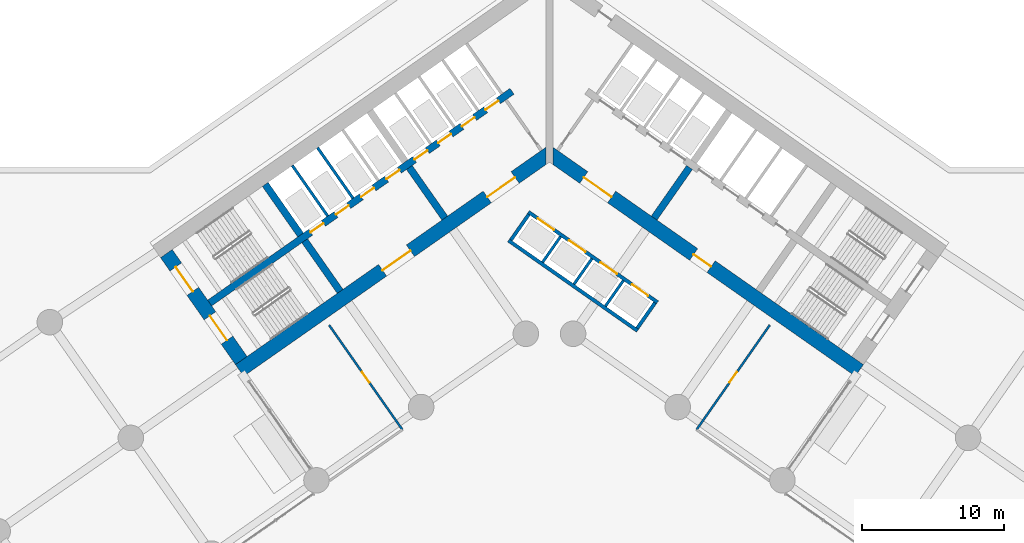
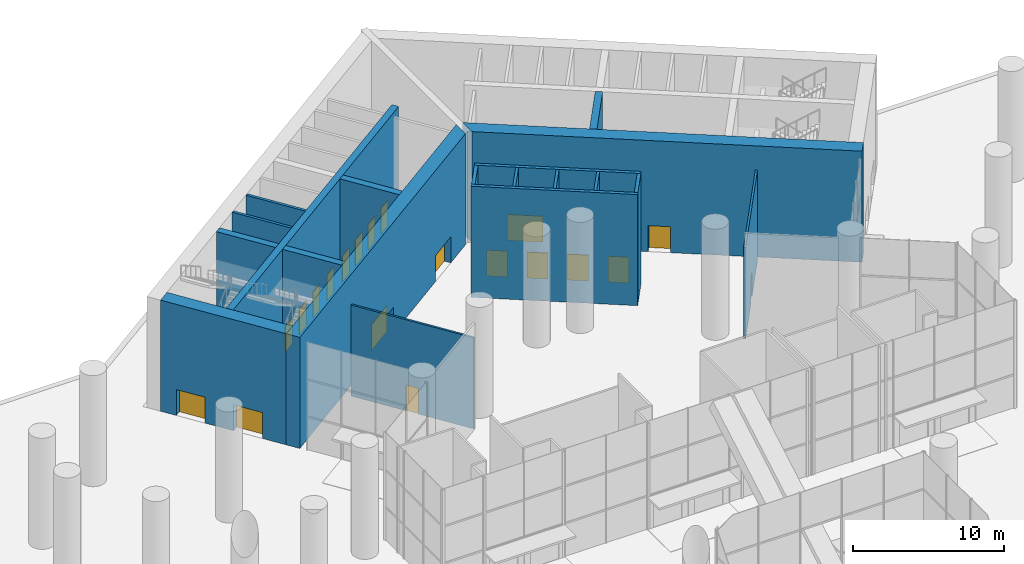
# One storey, part 19 of 37: 20 doors, 19 walls, 20 openings.
"""IFC4 building model written with IfcOpenShell, lengths in metres."""

from ifc_helpers import new_model, si_unit, direction, frame, frame_2d, origin, place, context, subcontext, project, spatial, polyline, rectangle, outline, extrude, material, layer, layer_set, type_object, element, fill, save


model = new_model("IFC4")

# Units and contexts
model_context = context("Model", 3, precision=1e-05, world=origin(), true_north=direction((0.0, 1.0)))
body_context = subcontext(model_context, "Body", "Model", "MODEL_VIEW")
ifc_project = project(units=[si_unit("LENGTHUNIT", "METRE"), si_unit("AREAUNIT", "SQUARE_METRE"), si_unit("VOLUMEUNIT", "CUBIC_METRE"), si_unit("PLANEANGLEUNIT", "RADIAN"), si_unit("MASSUNIT", "GRAM", prefix="KILO")], contexts=[model_context])

# Site, building, storey
site_placement = place(None, origin())
site = spatial("IfcSite", under=ifc_project, at=site_placement, CompositionType="ELEMENT")
building_placement = place(site_placement, origin())
building = spatial("IfcBuilding", under=site, at=building_placement, Name="Tel Ilan Convention Tower", CompositionType="ELEMENT")
storey_placement = place(building_placement, origin())
storey = spatial("IfcBuildingStorey", under=building, at=storey_placement, Name="L00", CompositionType="ELEMENT", Elevation=0.0)

# Wall, openings, doors
ifc_material_1 = material(Name="Concrete C60/75", Category="concrete")
ifc_layer_1 = layer(ifc_material_1, 1.0)
ifc_layer_set_1 = layer_set([ifc_layer_1], Name="Core Shear Wall 1000 mm C60/75")
wall_type_1 = type_object("IfcWallType", Name="Core Shear Wall 1000 mm C60/75", PredefinedType="SHEAR", material=ifc_layer_set_1)
wall_1_placement = place(storey_placement, frame((0.036865234375, -0.584716796875, 0.0), z_axis=(0.0, 0.0, 1.0), x_axis=(-0.819157152511, -0.573569140985, 0.0)))
wall_1 = element("IfcWall", 1, at=wall_1_placement, inside=storey, type_object=wall_type_1, Name="L00 core wall W-front", PredefinedType="SHEAR", context=body_context, shape_type="SweptSolid", body=[
    extrude(outline(polyline([(26.69482421875, 0.500244140625), (0.7001953125, 0.499755859375), (0.0, -0.5), (26.69482421875, -0.499755859375), (26.69482421875, 0.500244140625)])), origin(), (0.0, 0.0, 1.0), 9.0),
])
opening_1_placement = place(wall_1_placement, frame((2.994873046875, 0.0, 0.0)))
opening_1 = element("IfcOpeningElement", 2, at=opening_1_placement, cuts=wall_1, Name="Opening CD0305", PredefinedType="OPENING", context=body_context, shape_type="SweptSolid", body=[
    extrude(rectangle(XDim=2.39990234375, YDim=2.10009765625, at=frame_2d((1.199951171875, 1.050048828125))), frame((0.0, 0.510009765625, 0.0), z_axis=(0.0, -1.0, 0.0), x_axis=(1.0, 0.0, 0.0)), (0.0, 0.0, 1.0), 1.02001953125),
])
opening_2_placement = place(wall_1_placement, frame((11.994873046875, 0.0, 0.0)))
opening_2 = element("IfcOpeningElement", 3, at=opening_2_placement, cuts=wall_1, Name="Opening CD0306", PredefinedType="OPENING", context=body_context, shape_type="SweptSolid", body=[
    extrude(rectangle(XDim=2.39990234375, YDim=2.10009765625, at=frame_2d((1.199951171875, 1.050048828125))), frame((0.0, 0.510009765625, 0.0), z_axis=(0.0, -1.0, 0.0), x_axis=(1.0, 0.0, 0.0)), (0.0, 0.0, 1.0), 1.02001953125),
])
ifc_material_2 = material(Name="Glazed Aluminium Door Leaf", Category="aluminium")
door_type_1 = type_object("IfcDoorType", Name="Lobby Opening Door 2400 x 2100 FD60S", OperationType="NOTDEFINED", PredefinedType="DOOR", material=ifc_material_2)
door_1_placement = place(opening_1_placement, origin())
door_1 = element("IfcDoor", 4, at=door_1_placement, inside=storey, type_object=door_type_1, Name="Lift Lobby LR1-LR4 opening", OperationType="DOUBLE_DOOR_SINGLE_SWING", OverallHeight=2.10009765625, OverallWidth=2.39990234375, PredefinedType="DOOR", context=body_context, shape_type="SweptSolid", body=[
    extrude(rectangle(XDim=2.39990234375, YDim=2.10009765625, at=frame_2d((1.199951171875, 1.050048828125))), frame((0.0, 0.02490234375, 0.0), z_axis=(0.0, -1.0, 0.0), x_axis=(1.0, 0.0, 0.0)), (0.0, 0.0, 1.0), 0.050048828125),
])
fill(opening_1, door_1)
door_2_placement = place(opening_2_placement, origin())
door_2 = element("IfcDoor", 5, at=door_2_placement, inside=storey, type_object=door_type_1, Name="Lift Lobby LR5-LR8 opening", OperationType="DOUBLE_DOOR_SINGLE_SWING", OverallHeight=2.10009765625, OverallWidth=2.39990234375, PredefinedType="DOOR", context=body_context, shape_type="SweptSolid", body=[
    extrude(rectangle(XDim=2.39990234375, YDim=2.10009765625, at=frame_2d((1.199951171875, 1.050048828125))), frame((0.0, 0.02490234375, 0.0), z_axis=(0.0, -1.0, 0.0), x_axis=(1.0, 0.0, 0.0)), (0.0, 0.0, 1.0), 0.050048828125),
])
fill(opening_2, door_2)

wall_2_placement = place(storey_placement, frame((-21.70751953125, -15.19970703125, 0.0), z_axis=(0.0, 0.0, 1.0), x_axis=(-0.573576324356, 0.819152122709, 0.0)))
wall_2 = element("IfcWall", 6, at=wall_2_placement, inside=storey, type_object=wall_type_1, Name="L00 core wall W-end", PredefinedType="SHEAR", context=body_context, shape_type="SweptSolid", body=[
    extrude(outline(polyline([(0.0, 0.5), (0.0, -0.5), (9.199951171875, -0.5), (9.199951171875, 0.5), (0.0, 0.5)])), origin(), (0.0, 0.0, 1.0), 9.0),
])
opening_3_placement = place(wall_2_placement, frame((5.949951171875, 0.0, 0.0)))
opening_3 = element("IfcOpeningElement", 7, at=opening_3_placement, cuts=wall_2, Name="Opening E1", PredefinedType="OPENING", context=body_context, shape_type="SweptSolid", body=[
    extrude(rectangle(XDim=2.10009765625, YDim=2.10009765625, at=frame_2d((1.050048828125, 1.050048828125))), frame((0.0, 0.510009765625, 0.0), z_axis=(0.0, -1.0, 0.0), x_axis=(1.0, 0.0, 0.0)), (0.0, 0.0, 1.0), 1.02001953125),
])
opening_4_placement = place(wall_2_placement, frame((1.75, 0.0, 0.0)))
opening_4 = element("IfcOpeningElement", 8, at=opening_4_placement, cuts=wall_2, Name="Opening E2", PredefinedType="OPENING", context=body_context, shape_type="SweptSolid", body=[
    extrude(rectangle(XDim=2.10009765625, YDim=2.10009765625, at=frame_2d((1.050048828125, 1.050048828125))), frame((0.0, 0.510009765625, 0.0), z_axis=(0.0, -1.0, 0.0), x_axis=(1.0, 0.0, 0.0)), (0.0, 0.0, 1.0), 1.02001953125),
])
ifc_material_3 = material(Name="Galvanised Steel Door Leaf", Category="steel")
door_type_2 = type_object("IfcDoorType", Name="Stair Fire Door 2100 x 2100 FD60S", OperationType="NOTDEFINED", PredefinedType="DOOR", material=ifc_material_3)
door_3_placement = place(opening_3_placement, origin())
door_3 = element("IfcDoor", 9, at=door_3_placement, inside=storey, type_object=door_type_2, Name="Stair S1 door", OperationType="DOUBLE_DOOR_SINGLE_SWING", OverallHeight=2.10009765625, OverallWidth=2.10009765625, PredefinedType="DOOR", context=body_context, shape_type="SweptSolid", body=[
    extrude(rectangle(XDim=2.10009765625, YDim=2.10009765625, at=frame_2d((1.050048828125, 1.050048828125))), frame((0.0, 0.02490234375, 0.0), z_axis=(0.0, -1.0, 0.0), x_axis=(1.0, 0.0, 0.0)), (0.0, 0.0, 1.0), 0.050048828125),
])
fill(opening_3, door_3)
door_4_placement = place(opening_4_placement, origin())
door_4 = element("IfcDoor", 10, at=door_4_placement, inside=storey, type_object=door_type_2, Name="Stair S2 door", OperationType="DOUBLE_DOOR_SINGLE_SWING", OverallHeight=2.10009765625, OverallWidth=2.10009765625, PredefinedType="DOOR", context=body_context, shape_type="SweptSolid", body=[
    extrude(rectangle(XDim=2.10009765625, YDim=2.10009765625, at=frame_2d((1.050048828125, 1.050048828125))), frame((0.0, 0.02490234375, 0.0), z_axis=(0.0, -1.0, 0.0), x_axis=(1.0, 0.0, 0.0)), (0.0, 0.0, 1.0), 0.050048828125),
])
fill(opening_4, door_4)

wall_3_placement = place(storey_placement, frame((-0.036865234375, -0.584716796875, 0.0), z_axis=(0.0, 0.0, 1.0), x_axis=(0.819157152511, -0.573569140985, 0.0)))
wall_3 = element("IfcWall", 11, at=wall_3_placement, inside=storey, type_object=wall_type_1, Name="L00 core wall E-front", PredefinedType="SHEAR", context=body_context, shape_type="SweptSolid", body=[
    extrude(outline(polyline([(26.69482421875, 0.499755859375), (0.0, 0.5), (0.7001953125, -0.499755859375), (26.69482421875, -0.500244140625), (26.69482421875, 0.499755859375)])), origin(), (0.0, 0.0, 1.0), 9.0),
])
opening_5_placement = place(wall_3_placement, frame((2.994873046875, 0.0, 0.0)))
opening_5 = element("IfcOpeningElement", 12, at=opening_5_placement, cuts=wall_3, Name="Opening CD0303", PredefinedType="OPENING", context=body_context, shape_type="SweptSolid", body=[
    extrude(rectangle(XDim=2.39990234375, YDim=2.10009765625, at=frame_2d((1.199951171875, 1.050048828125))), frame((0.0, 0.510009765625, 0.0), z_axis=(0.0, -1.0, 0.0), x_axis=(1.0, 0.0, 0.0)), (0.0, 0.0, 1.0), 1.02001953125),
])
opening_6_placement = place(wall_3_placement, frame((12.44482421875, 0.0, 0.0)))
opening_6 = element("IfcOpeningElement", 13, at=opening_6_placement, cuts=wall_3, Name="Opening CD0304", PredefinedType="OPENING", context=body_context, shape_type="SweptSolid", body=[
    extrude(rectangle(XDim=1.5, YDim=2.10009765625, at=frame_2d((0.75, 1.050048828125))), frame((0.0, 0.510009765625, 0.0), z_axis=(0.0, -1.0, 0.0), x_axis=(1.0, 0.0, 0.0)), (0.0, 0.0, 1.0), 1.02001953125),
])
ifc_material_4 = material(Name="Glazed Aluminium Door Leaf", Category="aluminium")
door_type_3 = type_object("IfcDoorType", Name="Lobby Opening Door 1500 x 2100 FD60S", OperationType="NOTDEFINED", PredefinedType="DOOR", material=ifc_material_4)
door_5_placement = place(opening_6_placement, origin())
door_5 = element("IfcDoor", 14, at=door_5_placement, inside=storey, type_object=door_type_3, Name="Firefighting Lobby door", OperationType="DOUBLE_DOOR_SINGLE_SWING", OverallHeight=2.10009765625, OverallWidth=1.5, PredefinedType="DOOR", context=body_context, shape_type="SweptSolid", body=[
    extrude(rectangle(XDim=1.5, YDim=2.10009765625, at=frame_2d((0.75, 1.050048828125))), frame((0.0, 0.02490234375, 0.0), z_axis=(0.0, -1.0, 0.0), x_axis=(1.0, 0.0, 0.0)), (0.0, 0.0, 1.0), 0.050048828125),
])
fill(opening_6, door_5)
door_6_placement = place(opening_5_placement, origin())
door_6 = element("IfcDoor", 15, at=door_6_placement, inside=storey, type_object=door_type_1, Name="Shuttle Lobby opening", OperationType="DOUBLE_DOOR_SINGLE_SWING", OverallHeight=2.10009765625, OverallWidth=2.39990234375, PredefinedType="DOOR", context=body_context, shape_type="SweptSolid", body=[
    extrude(rectangle(XDim=2.39990234375, YDim=2.10009765625, at=frame_2d((1.199951171875, 1.050048828125))), frame((0.0, 0.02490234375, 0.0), z_axis=(0.0, -1.0, 0.0), x_axis=(1.0, 0.0, 0.0)), (0.0, 0.0, 1.0), 0.050048828125),
])
fill(opening_5, door_6)

# Walls
ifc_material_5 = material(Name="Concrete C60/75", Category="concrete")
ifc_layer_2 = layer(ifc_material_5, 0.5)
ifc_layer_set_2 = layer_set([ifc_layer_2], Name="Core Shear Wall 500 mm C60/75")
wall_type_2 = type_object("IfcWallType", Name="Core Shear Wall 500 mm C60/75", PredefinedType="SHEAR", material=ifc_layer_set_2)
wall_4_placement = place(storey_placement, frame((-7.372314453125, -5.162109375, 0.0), z_axis=(0.0, 0.0, 1.0), x_axis=(-0.573594173421, 0.819139624372, 0.0)))
element("IfcWall", 16, at=wall_4_placement, inside=storey, type_object=wall_type_2, Name="L00 core wall W-cross1-1", PredefinedType="SHEAR", context=body_context, shape_type="SweptSolid", body=[
    extrude(outline(polyline([(4.349853515625, 0.25), (0.0, 0.250244140625), (0.0, -0.25), (4.349853515625, -0.25), (4.349853515625, 0.25)])), origin(), (0.0, 0.0, 1.0), 9.0),
])
wall_5_placement = place(storey_placement, frame((-14.74462890625, -10.324462890625, 0.0), z_axis=(0.0, 0.0, 1.0), x_axis=(-0.57356780395, 0.819158088694, 0.0)))
element("IfcWall", 17, at=wall_5_placement, inside=storey, type_object=wall_type_2, Name="L00 core wall W-cross2-1", PredefinedType="SHEAR", context=body_context, shape_type="SweptSolid", body=[
    extrude(outline(polyline([(4.35009765625, 0.250244140625), (0.0, 0.25), (0.0, -0.25), (4.35009765625, -0.25), (4.35009765625, 0.250244140625)])), origin(), (0.0, 0.0, 1.0), 9.0),
])
wall_6_placement = place(storey_placement, frame((-17.526611328125, -6.3515625, 0.0), z_axis=(0.0, 0.0, 1.0), x_axis=(-0.573530143085, 0.819184457233, 0.0)))
element("IfcWall", 18, at=wall_6_placement, inside=storey, type_object=wall_type_2, Name="L00 core wall W-cross2-2", PredefinedType="SHEAR", context=body_context, shape_type="SweptSolid", body=[
    extrude(outline(polyline([(4.35009765625, -0.249755859375), (4.35009765625, 0.250244140625), (0.0, 0.25), (0.0, -0.25), (4.35009765625, -0.249755859375)])), origin(), (0.0, 0.0, 1.0), 9.0),
])

# Wall, openings, doors
wall_7_placement = place(storey_placement, frame((-2.638427734375, 3.76806640625, 0.0), z_axis=(0.0, 0.0, 1.0), x_axis=(-0.819148977158, -0.573580816643, 0.0)))
wall_7 = element("IfcWall", 19, at=wall_7_placement, inside=storey, type_object=wall_type_2, Name="L00 core wall W-spine", PredefinedType="SHEAR", context=body_context, shape_type="SweptSolid", body=[
    extrude(outline(polyline([(26.0, 0.249755859375), (0.0, 0.25), (0.0, -0.25), (26.0, -0.250244140625), (26.0, 0.249755859375)])), origin(), (0.0, 0.0, 1.0), 9.0),
])
opening_7_placement = place(wall_7_placement, frame((1.168701171875, 0.0, 0.0)))
opening_7 = element("IfcOpeningElement", 20, at=opening_7_placement, cuts=wall_7, Name="Opening LD0304", PredefinedType="OPENING", context=body_context, shape_type="SweptSolid", body=[
    extrude(rectangle(XDim=1.10009765625, YDim=2.10009765625, at=frame_2d((0.550048828125, 1.050048828125))), frame((0.0, 0.260009765625, 0.0), z_axis=(0.0, -1.0, 0.0), x_axis=(1.0, 0.0, 0.0)), (0.0, 0.0, 1.0), 0.52001953125),
])
opening_8_placement = place(wall_7_placement, frame((3.206298828125, 0.0, 0.0)))
opening_8 = element("IfcOpeningElement", 21, at=opening_8_placement, cuts=wall_7, Name="Opening LD0305", PredefinedType="OPENING", context=body_context, shape_type="SweptSolid", body=[
    extrude(rectangle(XDim=1.10009765625, YDim=2.10009765625, at=frame_2d((0.550048828125, 1.050048828125))), frame((0.0, 0.260009765625, 0.0), z_axis=(0.0, -1.0, 0.0), x_axis=(1.0, 0.0, 0.0)), (0.0, 0.0, 1.0), 0.52001953125),
])
opening_9_placement = place(wall_7_placement, frame((5.24365234375, 0.0, 0.0)))
opening_9 = element("IfcOpeningElement", 22, at=opening_9_placement, cuts=wall_7, Name="Opening LD0306", PredefinedType="OPENING", context=body_context, shape_type="SweptSolid", body=[
    extrude(rectangle(XDim=1.10009765625, YDim=2.10009765625, at=frame_2d((0.550048828125, 1.050048828125))), frame((0.0, 0.260009765625, 0.0), z_axis=(0.0, -1.0, 0.0), x_axis=(1.0, 0.0, 0.0)), (0.0, 0.0, 1.0), 0.52001953125),
])
opening_10_placement = place(wall_7_placement, frame((7.28125, 0.0, 0.0)))
opening_10 = element("IfcOpeningElement", 23, at=opening_10_placement, cuts=wall_7, Name="Opening LD0307", PredefinedType="OPENING", context=body_context, shape_type="SweptSolid", body=[
    extrude(rectangle(XDim=1.10009765625, YDim=2.10009765625, at=frame_2d((0.550048828125, 1.050048828125))), frame((0.0, 0.260009765625, 0.0), z_axis=(0.0, -1.0, 0.0), x_axis=(1.0, 0.0, 0.0)), (0.0, 0.0, 1.0), 0.52001953125),
])
opening_11_placement = place(wall_7_placement, frame((9.6875, 0.0, 0.0)))
opening_11 = element("IfcOpeningElement", 24, at=opening_11_placement, cuts=wall_7, Name="Opening LD0308", PredefinedType="OPENING", context=body_context, shape_type="SweptSolid", body=[
    extrude(rectangle(XDim=1.10009765625, YDim=2.10009765625, at=frame_2d((0.550048828125, 1.050048828125))), frame((0.0, 0.260009765625, 0.0), z_axis=(0.0, -1.0, 0.0), x_axis=(1.0, 0.0, 0.0)), (0.0, 0.0, 1.0), 0.52001953125),
])
opening_12_placement = place(wall_7_placement, frame((11.862548828125, 0.0, 0.0)))
opening_12 = element("IfcOpeningElement", 25, at=opening_12_placement, cuts=wall_7, Name="Opening LD0309", PredefinedType="OPENING", context=body_context, shape_type="SweptSolid", body=[
    extrude(rectangle(XDim=1.10009765625, YDim=2.10009765625, at=frame_2d((0.550048828125, 1.050048828125))), frame((0.0, 0.260009765625, 0.0), z_axis=(0.0, -1.0, 0.0), x_axis=(1.0, 0.0, 0.0)), (0.0, 0.0, 1.0), 0.52001953125),
])
opening_13_placement = place(wall_7_placement, frame((14.03759765625, 0.0, 0.0)))
opening_13 = element("IfcOpeningElement", 26, at=opening_13_placement, cuts=wall_7, Name="Opening LD0310", PredefinedType="OPENING", context=body_context, shape_type="SweptSolid", body=[
    extrude(rectangle(XDim=1.10009765625, YDim=2.10009765625, at=frame_2d((0.550048828125, 1.050048828125))), frame((0.0, 0.260009765625, 0.0), z_axis=(0.0, -1.0, 0.0), x_axis=(1.0, 0.0, 0.0)), (0.0, 0.0, 1.0), 0.52001953125),
])
opening_14_placement = place(wall_7_placement, frame((16.21240234375, 0.0, 0.0)))
opening_14 = element("IfcOpeningElement", 27, at=opening_14_placement, cuts=wall_7, Name="Opening LD0311", PredefinedType="OPENING", context=body_context, shape_type="SweptSolid", body=[
    extrude(rectangle(XDim=1.10009765625, YDim=2.10009765625, at=frame_2d((0.550048828125, 1.050048828125))), frame((0.0, 0.260009765625, 0.0), z_axis=(0.0, -1.0, 0.0), x_axis=(1.0, 0.0, 0.0)), (0.0, 0.0, 1.0), 0.52001953125),
])
ifc_material_6 = material(Name="Stainless Steel Sliding Door Leaf", Category="steel")
door_type_4 = type_object("IfcDoorType", Name="Lift Landing Door 1100 x 2100 FD120", OperationType="NOTDEFINED", PredefinedType="DOOR", material=ifc_material_6)
door_7_placement = place(opening_7_placement, origin())
door_7 = element("IfcDoor", 28, at=door_7_placement, inside=storey, type_object=door_type_4, Name="Lift LR1 landing door", OperationType="SLIDING_TO_LEFT", OverallHeight=2.10009765625, OverallWidth=1.10009765625, PredefinedType="DOOR", context=body_context, shape_type="SweptSolid", body=[
    extrude(rectangle(XDim=1.10009765625, YDim=2.10009765625, at=frame_2d((0.550048828125, 1.050048828125))), frame((0.0, 0.02490234375, 0.0), z_axis=(0.0, -1.0, 0.0), x_axis=(1.0, 0.0, 0.0)), (0.0, 0.0, 1.0), 0.050048828125),
])
fill(opening_7, door_7)
door_8_placement = place(opening_8_placement, origin())
door_8 = element("IfcDoor", 29, at=door_8_placement, inside=storey, type_object=door_type_4, Name="Lift LR2 landing door", OperationType="SLIDING_TO_RIGHT", OverallHeight=2.10009765625, OverallWidth=1.10009765625, PredefinedType="DOOR", context=body_context, shape_type="SweptSolid", body=[
    extrude(rectangle(XDim=1.10009765625, YDim=2.10009765625, at=frame_2d((0.550048828125, 1.050048828125))), frame((0.0, 0.02490234375, 0.0), z_axis=(0.0, -1.0, 0.0), x_axis=(1.0, 0.0, 0.0)), (0.0, 0.0, 1.0), 0.050048828125),
])
fill(opening_8, door_8)
door_9_placement = place(opening_9_placement, origin())
door_9 = element("IfcDoor", 30, at=door_9_placement, inside=storey, type_object=door_type_4, Name="Lift LR3 landing door", OperationType="SLIDING_TO_LEFT", OverallHeight=2.10009765625, OverallWidth=1.10009765625, PredefinedType="DOOR", context=body_context, shape_type="SweptSolid", body=[
    extrude(rectangle(XDim=1.10009765625, YDim=2.10009765625, at=frame_2d((0.550048828125, 1.050048828125))), frame((0.0, 0.02490234375, 0.0), z_axis=(0.0, -1.0, 0.0), x_axis=(1.0, 0.0, 0.0)), (0.0, 0.0, 1.0), 0.050048828125),
])
fill(opening_9, door_9)
door_10_placement = place(opening_10_placement, origin())
door_10 = element("IfcDoor", 31, at=door_10_placement, inside=storey, type_object=door_type_4, Name="Lift LR4 landing door", OperationType="SLIDING_TO_RIGHT", OverallHeight=2.10009765625, OverallWidth=1.10009765625, PredefinedType="DOOR", context=body_context, shape_type="SweptSolid", body=[
    extrude(rectangle(XDim=1.10009765625, YDim=2.10009765625, at=frame_2d((0.550048828125, 1.050048828125))), frame((0.0, 0.02490234375, 0.0), z_axis=(0.0, -1.0, 0.0), x_axis=(1.0, 0.0, 0.0)), (0.0, 0.0, 1.0), 0.050048828125),
])
fill(opening_10, door_10)
door_11_placement = place(opening_11_placement, origin())
door_11 = element("IfcDoor", 32, at=door_11_placement, inside=storey, type_object=door_type_4, Name="Lift LR5 landing door", OperationType="SLIDING_TO_LEFT", OverallHeight=2.10009765625, OverallWidth=1.10009765625, PredefinedType="DOOR", context=body_context, shape_type="SweptSolid", body=[
    extrude(rectangle(XDim=1.10009765625, YDim=2.10009765625, at=frame_2d((0.550048828125, 1.050048828125))), frame((0.0, 0.02490234375, 0.0), z_axis=(0.0, -1.0, 0.0), x_axis=(1.0, 0.0, 0.0)), (0.0, 0.0, 1.0), 0.050048828125),
])
fill(opening_11, door_11)
door_12_placement = place(opening_12_placement, origin())
door_12 = element("IfcDoor", 33, at=door_12_placement, inside=storey, type_object=door_type_4, Name="Lift LR6 landing door", OperationType="SLIDING_TO_RIGHT", OverallHeight=2.10009765625, OverallWidth=1.10009765625, PredefinedType="DOOR", context=body_context, shape_type="SweptSolid", body=[
    extrude(rectangle(XDim=1.10009765625, YDim=2.10009765625, at=frame_2d((0.550048828125, 1.050048828125))), frame((0.0, 0.02490234375, 0.0), z_axis=(0.0, -1.0, 0.0), x_axis=(1.0, 0.0, 0.0)), (0.0, 0.0, 1.0), 0.050048828125),
])
fill(opening_12, door_12)
door_13_placement = place(opening_13_placement, origin())
door_13 = element("IfcDoor", 34, at=door_13_placement, inside=storey, type_object=door_type_4, Name="Lift LR7 landing door", OperationType="SLIDING_TO_LEFT", OverallHeight=2.10009765625, OverallWidth=1.10009765625, PredefinedType="DOOR", context=body_context, shape_type="SweptSolid", body=[
    extrude(rectangle(XDim=1.10009765625, YDim=2.10009765625, at=frame_2d((0.550048828125, 1.050048828125))), frame((0.0, 0.02490234375, 0.0), z_axis=(0.0, -1.0, 0.0), x_axis=(1.0, 0.0, 0.0)), (0.0, 0.0, 1.0), 0.050048828125),
])
fill(opening_13, door_13)
door_14_placement = place(opening_14_placement, origin())
door_14 = element("IfcDoor", 35, at=door_14_placement, inside=storey, type_object=door_type_4, Name="Lift LR8 landing door", OperationType="SLIDING_TO_RIGHT", OverallHeight=2.10009765625, OverallWidth=1.10009765625, PredefinedType="DOOR", context=body_context, shape_type="SweptSolid", body=[
    extrude(rectangle(XDim=1.10009765625, YDim=2.10009765625, at=frame_2d((0.550048828125, 1.050048828125))), frame((0.0, 0.02490234375, 0.0), z_axis=(0.0, -1.0, 0.0), x_axis=(1.0, 0.0, 0.0)), (0.0, 0.0, 1.0), 0.050048828125),
])
fill(opening_14, door_14)

# Wall
wall_8_placement = place(storey_placement, frame((7.372314453125, -5.162109375, 0.0), z_axis=(0.0, 0.0, 1.0), x_axis=(0.573594173421, 0.819139624372, 0.0)))
element("IfcWall", 36, at=wall_8_placement, inside=storey, type_object=wall_type_2, Name="L00 core wall E-cross1-1", PredefinedType="SHEAR", context=body_context, shape_type="SweptSolid", body=[
    extrude(outline(polyline([(0.0, 0.25), (0.0, -0.250244140625), (4.349853515625, -0.25), (4.349853515625, 0.25), (0.0, 0.25)])), origin(), (0.0, 0.0, 1.0), 9.0),
])

# Wall, opening, door
ifc_material_7 = material(Name="Plasterboard on Steel Studs", Category="steel")
ifc_layer_3 = layer(ifc_material_7, 0.14990234375)
ifc_layer_set_3 = layer_set([ifc_layer_3], Name="Fire-rated Partition 150 EI 60")
wall_type_3 = type_object("IfcWallType", Name="Fire-rated Partition 150 EI 60", PredefinedType="PARTITIONING", material=ifc_layer_set_3)
wall_9_placement = place(storey_placement, frame((15.52197265625, -12.69970703125, 0.0), z_axis=(0.0, 0.0, 1.0), x_axis=(-0.573591598124, -0.819141427692, 0.0)))
wall_9 = element("IfcWall", 37, at=wall_9_placement, inside=storey, type_object=wall_type_3, Name="Partition 024", PredefinedType="PARTITIONING", context=body_context, shape_type="SweptSolid", body=[
    extrude(rectangle(XDim=9.0, YDim=0.14990234375, at=frame_2d((4.5, 0.0))), origin(), (0.0, 0.0, 1.0), 7.3798828125),
])
opening_15_placement = place(wall_9_placement, frame((4.050048828125, 0.0, 0.0)))
opening_15 = element("IfcOpeningElement", 38, at=opening_15_placement, cuts=wall_9, Name="Opening L00-007", PredefinedType="OPENING", context=body_context, shape_type="SweptSolid", body=[
    extrude(rectangle(XDim=0.89990234375, YDim=2.10009765625, at=frame_2d((0.449951171875, 1.050048828125))), frame((0.0, 0.0849609375, 0.0), z_axis=(0.0, -1.0, 0.0), x_axis=(1.0, 0.0, 0.0)), (0.0, 0.0, 1.0), 0.169921875),
])
ifc_material_8 = material(Name="Timber Door Leaf in Steel Frame", Category="steel")
door_type_5 = type_object("IfcDoorType", Name="Room Fire Door 900x2100", OperationType="NOTDEFINED", PredefinedType="DOOR", material=ifc_material_8)
door_15_placement = place(opening_15_placement, origin())
door_15 = element("IfcDoor", 39, at=door_15_placement, inside=storey, type_object=door_type_5, Name="Door L00-007", OperationType="SINGLE_SWING_RIGHT", OverallHeight=2.10009765625, OverallWidth=0.89990234375, PredefinedType="DOOR", context=body_context, shape_type="SweptSolid", body=[
    extrude(rectangle(XDim=0.89990234375, YDim=2.10009765625, at=frame_2d((0.449951171875, 1.050048828125))), frame((0.0, 0.02490234375, 0.0), z_axis=(0.0, -1.0, 0.0), x_axis=(1.0, 0.0, 0.0)), (0.0, 0.0, 1.0), 0.050048828125),
])
fill(opening_15, door_15)

wall_10_placement = place(storey_placement, frame((-10.359619140625, -20.072021484375, 0.0), z_axis=(0.0, 0.0, 1.0), x_axis=(-0.573591598124, 0.819141427692, 0.0)))
wall_10 = element("IfcWall", 40, at=wall_10_placement, inside=storey, type_object=wall_type_3, Name="Partition 025", PredefinedType="PARTITIONING", context=body_context, shape_type="SweptSolid", body=[
    extrude(rectangle(XDim=9.0, YDim=0.14990234375, at=frame_2d((4.5, 0.0))), origin(), (0.0, 0.0, 1.0), 7.3798828125),
])
opening_16_placement = place(wall_10_placement, frame((4.050048828125, 0.0, 0.0)))
opening_16 = element("IfcOpeningElement", 41, at=opening_16_placement, cuts=wall_10, Name="Opening L00-006", PredefinedType="OPENING", context=body_context, shape_type="SweptSolid", body=[
    extrude(rectangle(XDim=0.89990234375, YDim=2.10009765625, at=frame_2d((0.449951171875, 1.050048828125))), frame((0.0, 0.0849609375, 0.0), z_axis=(0.0, -1.0, 0.0), x_axis=(1.0, 0.0, 0.0)), (0.0, 0.0, 1.0), 0.169921875),
])
door_16_placement = place(opening_16_placement, origin())
door_16 = element("IfcDoor", 42, at=door_16_placement, inside=storey, type_object=door_type_5, Name="Door L00-006", OperationType="SINGLE_SWING_LEFT", OverallHeight=2.10009765625, OverallWidth=0.89990234375, PredefinedType="DOOR", context=body_context, shape_type="SweptSolid", body=[
    extrude(rectangle(XDim=0.89990234375, YDim=2.10009765625, at=frame_2d((0.449951171875, 1.050048828125))), frame((0.0, 0.02490234375, 0.0), z_axis=(0.0, -1.0, 0.0), x_axis=(1.0, 0.0, 0.0)), (0.0, 0.0, 1.0), 0.050048828125),
])
fill(opening_16, door_16)

# Walls
ifc_material_9 = material(Name="Concrete C30/37", Category="concrete")
ifc_layer_4 = layer(ifc_material_9, 0.199951171875)
ifc_layer_set_4 = layer_set([ifc_layer_4], Name="Lift Shaft Wall 200 mm C30/37")
wall_type_4 = type_object("IfcWallType", Name="Lift Shaft Wall 200 mm C30/37", PredefinedType="SOLIDWALL", material=ifc_layer_set_4)
wall_11_placement = place(storey_placement, frame((-13.84033203125, -3.7705078125, 0.0), z_axis=(0.0, 0.0, 1.0), x_axis=(-0.57356780395, 0.819158088694, 0.0)))
element("IfcWall", 43, at=wall_11_placement, inside=storey, type_object=wall_type_4, Name="L00 core wall bank-W2-p1", PredefinedType="SOLIDWALL", context=body_context, shape_type="SweptSolid", body=[
    extrude(rectangle(XDim=4.35009765625, YDim=0.199951171875, at=frame_2d((2.175048828125, 0.0))), origin(), (0.0, 0.0, 1.0), 9.0),
])
wall_12_placement = place(storey_placement, frame((-15.6220703125, -5.017822265625, 0.0), z_axis=(0.0, 0.0, 1.0), x_axis=(-0.573594173421, 0.819139624372, 0.0)))
element("IfcWall", 44, at=wall_12_placement, inside=storey, type_object=wall_type_4, Name="L00 core wall bank-W2-p2", PredefinedType="SOLIDWALL", context=body_context, shape_type="SweptSolid", body=[
    extrude(rectangle(XDim=4.349853515625, YDim=0.199951171875, at=frame_2d((2.1748046875, 0.0))), origin(), (0.0, 0.0, 1.0), 9.0),
])
for number, where, z_axis, x_axis, name in (
    (45, (-0.48046875, -8.27001953125, 0.0), (0.0, 0.0, 1.0), (0.573633636671, 0.819111989218, 0.0), "L00 core wall pl-part-0"),
    (46, (1.731201171875, -9.818603515625, 0.0), (0.0, 0.0, 1.0), (0.573633636671, 0.819111989218, 0.0), "L00 core wall pl-part-1"),
    (47, (3.943115234375, -11.367431640625, 0.0), (0.0, 0.0, 1.0), (0.573507030513, 0.819200638399, 0.0), "L00 core wall pl-part-2"),
):
    element("IfcWall", number, at=place(storey_placement, frame(where, z_axis=z_axis, x_axis=x_axis)), inside=storey, type_object=wall_type_4, Name=name, PredefinedType="SOLIDWALL", context=body_context, shape_type="SweptSolid", body=[
        extrude(rectangle(XDim=2.199951171875, YDim=0.199951171875, at=frame_2d((1.10009765625, 0.0))), origin(), (0.0, 0.0, 1.0), 9.0),
    ])
ifc_material_10 = material(Name="Concrete C30/37", Category="concrete")
ifc_layer_5 = layer(ifc_material_10, 0.25)
ifc_layer_set_5 = layer_set([ifc_layer_5], Name="Lift Shaft Wall 250 mm C30/37")
wall_type_5 = type_object("IfcWallType", Name="Lift Shaft Wall 250 mm C30/37", PredefinedType="SOLIDWALL", material=ifc_layer_set_5)
wall_13_placement = place(storey_placement, frame((-2.88671875, -6.73779296875, 0.0), z_axis=(0.0, 0.0, 1.0), x_axis=(0.819150280716, -0.573578954985, 0.0)))
element("IfcWall", 48, at=wall_13_placement, inside=storey, type_object=wall_type_5, Name="L00 core wall pl-back", PredefinedType="SOLIDWALL", context=body_context, shape_type="SweptSolid", body=[
    extrude(rectangle(XDim=11.099853515625, YDim=0.25, at=frame_2d((5.5498046875, 0.0))), origin(), (0.0, 0.0, 1.0), 9.0),
])

# Wall, openings, doors
wall_14_placement = place(storey_placement, frame((-1.4814453125, -4.73095703125, 0.0), z_axis=(0.0, 0.0, 1.0), x_axis=(0.819150280716, -0.573578954985, 0.0)))
wall_14 = element("IfcWall", 49, at=wall_14_placement, inside=storey, type_object=wall_type_5, Name="L00 core wall pl-front", PredefinedType="SOLIDWALL", context=body_context, shape_type="SweptSolid", body=[
    extrude(rectangle(XDim=11.099853515625, YDim=0.25, at=frame_2d((5.5498046875, 0.0))), origin(), (0.0, 0.0, 1.0), 9.0),
])
opening_17_placement = place(wall_14_placement, frame((0.800048828125, 0.0, 0.0)))
opening_17 = element("IfcOpeningElement", 50, at=opening_17_placement, cuts=wall_14, Name="Opening LD0312", PredefinedType="OPENING", context=body_context, shape_type="SweptSolid", body=[
    extrude(rectangle(XDim=1.39990234375, YDim=2.10009765625, at=frame_2d((0.699951171875, 1.050048828125))), frame((0.0, 0.135009765625, 0.0), z_axis=(0.0, -1.0, 0.0), x_axis=(1.0, 0.0, 0.0)), (0.0, 0.0, 1.0), 0.27001953125),
])
opening_18_placement = place(wall_14_placement, frame((3.5, 0.0, 0.0)))
opening_18 = element("IfcOpeningElement", 51, at=opening_18_placement, cuts=wall_14, Name="Opening LD0313", PredefinedType="OPENING", context=body_context, shape_type="SweptSolid", body=[
    extrude(rectangle(XDim=1.39990234375, YDim=2.10009765625, at=frame_2d((0.699951171875, 1.050048828125))), frame((0.0, 0.135009765625, 0.0), z_axis=(0.0, -1.0, 0.0), x_axis=(1.0, 0.0, 0.0)), (0.0, 0.0, 1.0), 0.27001953125),
])
opening_19_placement = place(wall_14_placement, frame((6.199951171875, 0.0, 0.0)))
opening_19 = element("IfcOpeningElement", 52, at=opening_19_placement, cuts=wall_14, Name="Opening LD0314", PredefinedType="OPENING", context=body_context, shape_type="SweptSolid", body=[
    extrude(rectangle(XDim=1.39990234375, YDim=2.10009765625, at=frame_2d((0.699951171875, 1.050048828125))), frame((0.0, 0.135009765625, 0.0), z_axis=(0.0, -1.0, 0.0), x_axis=(1.0, 0.0, 0.0)), (0.0, 0.0, 1.0), 0.27001953125),
])
opening_20_placement = place(wall_14_placement, frame((8.89990234375, 0.0, 0.0)))
opening_20 = element("IfcOpeningElement", 53, at=opening_20_placement, cuts=wall_14, Name="Opening LD0315", PredefinedType="OPENING", context=body_context, shape_type="SweptSolid", body=[
    extrude(rectangle(XDim=1.39990234375, YDim=2.10009765625, at=frame_2d((0.699951171875, 1.050048828125))), frame((0.0, 0.135009765625, 0.0), z_axis=(0.0, -1.0, 0.0), x_axis=(1.0, 0.0, 0.0)), (0.0, 0.0, 1.0), 0.27001953125),
])
ifc_material_11 = material(Name="Stainless Steel Sliding Door Leaf", Category="steel")
door_type_6 = type_object("IfcDoorType", Name="Lift Landing Door 1400 x 2100 FD120", OperationType="NOTDEFINED", PredefinedType="DOOR", material=ifc_material_11)
door_17_placement = place(opening_17_placement, origin())
door_17 = element("IfcDoor", 54, at=door_17_placement, inside=storey, type_object=door_type_6, Name="Lift PL1 landing door", OperationType="SLIDING_TO_LEFT", OverallHeight=2.10009765625, OverallWidth=1.39990234375, PredefinedType="DOOR", context=body_context, shape_type="SweptSolid", body=[
    extrude(rectangle(XDim=1.39990234375, YDim=2.10009765625, at=frame_2d((0.699951171875, 1.050048828125))), frame((0.0, 0.02490234375, 0.0), z_axis=(0.0, -1.0, 0.0), x_axis=(1.0, 0.0, 0.0)), (0.0, 0.0, 1.0), 0.050048828125),
])
fill(opening_17, door_17)
door_18_placement = place(opening_18_placement, origin())
door_18 = element("IfcDoor", 55, at=door_18_placement, inside=storey, type_object=door_type_6, Name="Lift PL2 landing door", OperationType="SLIDING_TO_RIGHT", OverallHeight=2.10009765625, OverallWidth=1.39990234375, PredefinedType="DOOR", context=body_context, shape_type="SweptSolid", body=[
    extrude(rectangle(XDim=1.39990234375, YDim=2.10009765625, at=frame_2d((0.699951171875, 1.050048828125))), frame((0.0, 0.02490234375, 0.0), z_axis=(0.0, -1.0, 0.0), x_axis=(1.0, 0.0, 0.0)), (0.0, 0.0, 1.0), 0.050048828125),
])
fill(opening_18, door_18)
door_19_placement = place(opening_19_placement, origin())
door_19 = element("IfcDoor", 56, at=door_19_placement, inside=storey, type_object=door_type_6, Name="Lift PL3 landing door", OperationType="SLIDING_TO_LEFT", OverallHeight=2.10009765625, OverallWidth=1.39990234375, PredefinedType="DOOR", context=body_context, shape_type="SweptSolid", body=[
    extrude(rectangle(XDim=1.39990234375, YDim=2.10009765625, at=frame_2d((0.699951171875, 1.050048828125))), frame((0.0, 0.02490234375, 0.0), z_axis=(0.0, -1.0, 0.0), x_axis=(1.0, 0.0, 0.0)), (0.0, 0.0, 1.0), 0.050048828125),
])
fill(opening_19, door_19)
door_20_placement = place(opening_20_placement, origin())
door_20 = element("IfcDoor", 57, at=door_20_placement, inside=storey, type_object=door_type_6, Name="Lift PL4 landing door", OperationType="SLIDING_TO_RIGHT", OverallHeight=2.10009765625, OverallWidth=1.39990234375, PredefinedType="DOOR", context=body_context, shape_type="SweptSolid", body=[
    extrude(rectangle(XDim=1.39990234375, YDim=2.10009765625, at=frame_2d((0.699951171875, 1.050048828125))), frame((0.0, 0.02490234375, 0.0), z_axis=(0.0, -1.0, 0.0), x_axis=(1.0, 0.0, 0.0)), (0.0, 0.0, 1.0), 0.050048828125),
])
fill(opening_20, door_20)

# Walls
wall_15_placement = place(storey_placement, frame((-2.712646484375, -6.70703125, 0.0), z_axis=(0.0, 0.0, 1.0), x_axis=(0.573581496053, 0.819148501424, 0.0)))
element("IfcWall", 58, at=wall_15_placement, inside=storey, type_object=wall_type_5, Name="L00 core wall pl-end-a", PredefinedType="SOLIDWALL", context=body_context, shape_type="SweptSolid", body=[
    extrude(rectangle(XDim=2.2001953125, YDim=0.25, at=frame_2d((1.10009765625, 0.0))), origin(), (0.0, 0.0, 1.0), 9.0),
])
wall_16_placement = place(storey_placement, frame((6.17529296875, -12.930419921875, 0.0), z_axis=(0.0, 0.0, 1.0), x_axis=(0.573559170999, 0.819164133348, 0.0)))
element("IfcWall", 59, at=wall_16_placement, inside=storey, type_object=wall_type_5, Name="L00 core wall pl-end-b", PredefinedType="SOLIDWALL", context=body_context, shape_type="SweptSolid", body=[
    extrude(rectangle(XDim=2.19970703125, YDim=0.25, at=frame_2d((1.099853515625, 0.0))), origin(), (0.0, 0.0, 1.0), 9.0),
])

save(model, "model.ifc")
